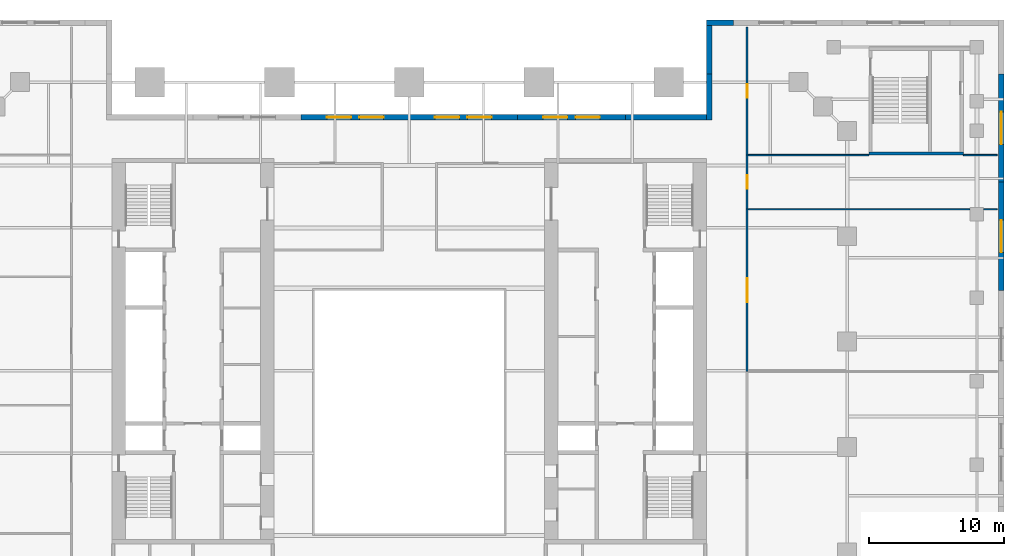
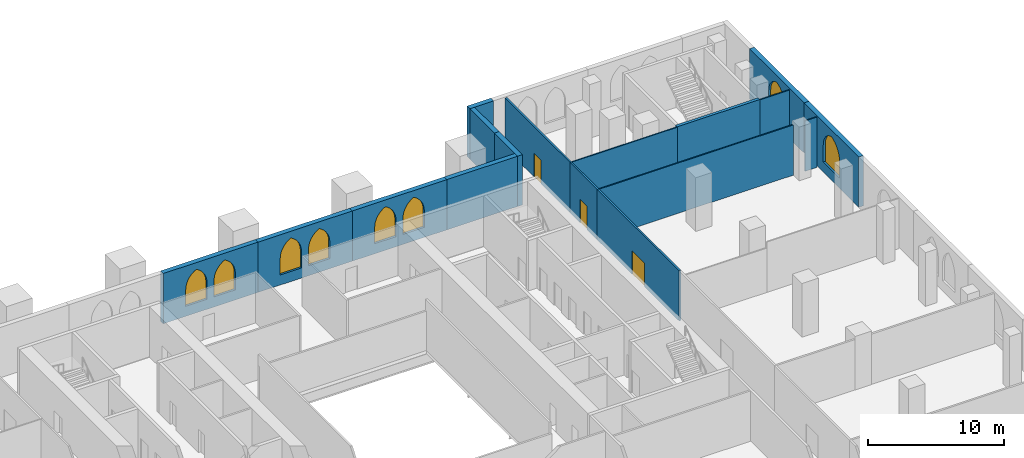
# One storey, part 16 of 19: 17 walls, 8 windows, 3 doors, 11 openings.
"""IFC4 building model written with IfcOpenShell, lengths in metres."""

from ifc_helpers import new_model, si_unit, direction, frame, frame_2d, origin, place, context, subcontext, project, spatial, polyline, rectangle, outline, extrude, material, layer, layer_set, type_object, element, fill, save


model = new_model("IFC4")

# Units and contexts
model_context = context("Model", 3, precision=1e-05, world=origin(), true_north=direction((0.0, 1.0)))
body_context = subcontext(model_context, "Body", "Model", "MODEL_VIEW")
ifc_project = project(units=[si_unit("LENGTHUNIT", "METRE"), si_unit("AREAUNIT", "SQUARE_METRE"), si_unit("VOLUMEUNIT", "CUBIC_METRE"), si_unit("PLANEANGLEUNIT", "RADIAN"), si_unit("MASSUNIT", "GRAM", prefix="KILO")], contexts=[model_context])

# Site, building, storey
site_placement = place(None, origin())
site = spatial("IfcSite", under=ifc_project, at=site_placement, CompositionType="ELEMENT")
building_placement = place(site_placement, origin())
building = spatial("IfcBuilding", under=site, at=building_placement, Name="Ogive Exchange Tower", CompositionType="ELEMENT")
storey_placement = place(building_placement, frame((0.0, 0.0, 19.199951171875)))
storey = spatial("IfcBuildingStorey", under=building, at=storey_placement, Name="L03", CompositionType="ELEMENT", Elevation=19.199951171875)

# Wall, opening, door
ifc_material_1 = material(Name="Fire partition EI 60 150")
ifc_layer_1 = layer(ifc_material_1, 0.14990234375)
ifc_layer_set_1 = layer_set([ifc_layer_1], Name="Fire partition EI 60 150")
wall_type_1 = type_object("IfcWallType", Name="Fire partition EI 60 150", PredefinedType="PARTITIONING", material=ifc_layer_set_1)
wall_1_placement = place(storey_placement, frame((25.0, 10.0, 0.0), z_axis=(0.0, 0.0, 1.0), x_axis=(0.0, 1.0, 0.0)))
wall_1 = element("IfcWall", 1, at=wall_1_placement, inside=storey, type_object=wall_type_1, Name="L03-PWL-061", PredefinedType="PARTITIONING", context=body_context, shape_type="SweptSolid", body=[
    extrude(rectangle(XDim=12.0, YDim=0.14990234375, at=frame_2d((6.0, 0.0))), origin(), (0.0, 0.0, 1.0), 4.5),
])
opening_1_placement = place(wall_1_placement, frame((5.10009765625, 0.0, 0.0)))
opening_1 = element("IfcOpeningElement", 2, at=opening_1_placement, cuts=wall_1, Name="Opening L03-I12", PredefinedType="OPENING", context=body_context, shape_type="SweptSolid", body=[
    extrude(rectangle(XDim=1.800048828125, YDim=2.10009765625, at=frame_2d((0.89990234375, 1.050048828125))), frame((0.0, 0.0849609375, 0.0), z_axis=(0.0, -1.0, 0.0), x_axis=(1.0, 0.0, 0.0)), (0.0, 0.0, 1.0), 0.169921875),
])
ifc_material_2 = material(Name="Fire door FD 30S 1800 x 2100")
door_type_1 = type_object("IfcDoorType", Name="Fire door FD 30S 1800 x 2100", OperationType="DOUBLE_DOOR_SINGLE_SWING", PredefinedType="DOOR", material=ifc_material_2)
door_1_placement = place(opening_1_placement, frame((1.800048828125, 0.0, 0.0), z_axis=(0.0, 0.0, 1.0), x_axis=(-1.0, 0.0, 0.0)))
door_1 = element("IfcDoor", 3, at=door_1_placement, inside=storey, type_object=door_type_1, Name="L03-IDR-012", ObjectType="DT4", OperationType="SINGLE_SWING_LEFT", OverallHeight=2.10009765625, OverallWidth=1.800048828125, PredefinedType="DOOR", context=body_context, shape_type="SweptSolid", body=[
    extrude(rectangle(XDim=1.800048828125, YDim=2.10009765625, at=frame_2d((0.89990234375, 1.050048828125))), frame((0.0, 0.02490234375, 0.0), z_axis=(0.0, -1.0, 0.0), x_axis=(1.0, 0.0, 0.0)), (0.0, 0.0, 1.0), 0.050048828125),
])
fill(opening_1, door_1)

wall_2_placement = place(storey_placement, frame((25.0, 22.0, 0.0), z_axis=(0.0, 0.0, 1.0), x_axis=(0.0, 1.0, 0.0)))
wall_2 = element("IfcWall", 4, at=wall_2_placement, inside=storey, type_object=wall_type_1, Name="L03-PWL-062", PredefinedType="PARTITIONING", context=body_context, shape_type="SweptSolid", body=[
    extrude(rectangle(XDim=4.0, YDim=0.14990234375, at=frame_2d((2.0, 0.0))), origin(), (0.0, 0.0, 1.0), 4.5),
])
opening_2_placement = place(wall_2_placement, frame((1.5, 0.0, 0.0)))
opening_2 = element("IfcOpeningElement", 5, at=opening_2_placement, cuts=wall_2, Name="Opening L03-I13", PredefinedType="OPENING", context=body_context, shape_type="SweptSolid", body=[
    extrude(rectangle(XDim=1.0, YDim=2.10009765625, at=frame_2d((0.5, 1.050048828125))), frame((0.0, 0.0849609375, 0.0), z_axis=(0.0, -1.0, 0.0), x_axis=(1.0, 0.0, 0.0)), (0.0, 0.0, 1.0), 0.169921875),
])
ifc_material_3 = material(Name="Fire door FD 30S 1000 x 2100")
door_type_2 = type_object("IfcDoorType", Name="Fire door FD 30S 1000 x 2100", OperationType="NOTDEFINED", PredefinedType="DOOR", material=ifc_material_3)
door_2_placement = place(opening_2_placement, frame((1.0, 0.0, 0.0), z_axis=(0.0, 0.0, 1.0), x_axis=(-1.0, 0.0, 0.0)))
door_2 = element("IfcDoor", 6, at=door_2_placement, inside=storey, type_object=door_type_2, Name="L03-IDR-013", ObjectType="DT3", OperationType="SINGLE_SWING_LEFT", OverallHeight=2.10009765625, OverallWidth=1.0, PredefinedType="DOOR", context=body_context, shape_type="SweptSolid", body=[
    extrude(rectangle(XDim=1.0, YDim=2.10009765625, at=frame_2d((0.5, 1.050048828125))), frame((0.0, 0.02490234375, 0.0), z_axis=(0.0, -1.0, 0.0), x_axis=(1.0, 0.0, 0.0)), (0.0, 0.0, 1.0), 0.050048828125),
])
fill(opening_2, door_2)

wall_3_placement = place(storey_placement, frame((25.0, 26.0, 0.0), z_axis=(0.0, 0.0, 1.0), x_axis=(0.0, 1.0, 0.0)))
wall_3 = element("IfcWall", 7, at=wall_3_placement, inside=storey, type_object=wall_type_1, Name="L03-PWL-063", PredefinedType="PARTITIONING", context=body_context, shape_type="SweptSolid", body=[
    extrude(rectangle(XDim=9.5, YDim=0.14990234375, at=frame_2d((4.75, 0.0))), origin(), (0.0, 0.0, 1.0), 4.5),
])
opening_3_placement = place(wall_3_placement, frame((4.25, 0.0, 0.0)))
opening_3 = element("IfcOpeningElement", 8, at=opening_3_placement, cuts=wall_3, Name="Opening L03-I02", PredefinedType="OPENING", context=body_context, shape_type="SweptSolid", body=[
    extrude(rectangle(XDim=1.0, YDim=2.10009765625, at=frame_2d((0.5, 1.050048828125))), frame((0.0, 0.0849609375, 0.0), z_axis=(0.0, -1.0, 0.0), x_axis=(1.0, 0.0, 0.0)), (0.0, 0.0, 1.0), 0.169921875),
])
door_3_placement = place(opening_3_placement, frame((1.0, 0.0, 0.0), z_axis=(0.0, 0.0, 1.0), x_axis=(-1.0, 0.0, 0.0)))
door_3 = element("IfcDoor", 9, at=door_3_placement, inside=storey, type_object=door_type_2, Name="L03-IDR-002", ObjectType="DT3", OperationType="SINGLE_SWING_RIGHT", OverallHeight=2.10009765625, OverallWidth=1.0, PredefinedType="DOOR", context=body_context, shape_type="SweptSolid", body=[
    extrude(rectangle(XDim=1.0, YDim=2.10009765625, at=frame_2d((0.5, 1.050048828125))), frame((0.0, 0.02490234375, 0.0), z_axis=(0.0, -1.0, 0.0), x_axis=(1.0, 0.0, 0.0)), (0.0, 0.0, 1.0), 0.050048828125),
])
fill(opening_3, door_3)

# Wall, opening, window
ifc_material_4 = material(Name="Precast concrete C40/50", Category="concrete")
ifc_layer_2 = layer(ifc_material_4, 0.39990234375)
ifc_layer_set_2 = layer_set([ifc_layer_2], Name="Limestone-faced wall 400")
wall_type_2 = type_object("IfcWallType", Name="Limestone-faced wall 400", PredefinedType="STANDARD", material=ifc_layer_set_2)
wall_4_placement = place(storey_placement, frame((43.800048828125, 16.0, 0.0), z_axis=(0.0, 0.0, 1.0), x_axis=(0.0, 1.0, 0.0)))
wall_4 = element("IfcWall", 10, at=wall_4_placement, inside=storey, type_object=wall_type_2, Name="Podium wall E10", PredefinedType="STANDARD", context=body_context, shape_type="SweptSolid", body=[
    extrude(rectangle(XDim=8.0, YDim=0.39990234375, at=frame_2d((4.0, 0.0))), origin(), (0.0, 0.0, 1.0), 4.5),
])
opening_4_placement = place(wall_4_placement, frame((2.800048828125, 0.0, 0.89990234375)))
opening_4 = element("IfcOpeningElement", 11, at=opening_4_placement, cuts=wall_4, Name="Opening WP300", PredefinedType="OPENING", context=body_context, shape_type="SweptSolid", body=[
    extrude(outline(polyline([(0.0, 0.0), (2.39990234375, 0.0), (2.39990234375, 1.5), (2.378173828125, 1.758056640625), (2.313232421875, 2.009033203125), (2.207275390625, 2.245361328125), (2.06298828125, 2.46044921875), (1.884765625, 2.6484375), (1.677490234375, 2.8037109375), (1.447021484375, 2.922119140625), (1.199951171875, 3.0), (0.952880859375, 2.922119140625), (0.722412109375, 2.8037109375), (0.51513671875, 2.6484375), (0.3369140625, 2.46044921875), (0.192626953125, 2.245361328125), (0.086669921875, 2.009033203125), (0.021728515625, 1.758056640625), (0.0, 1.5), (0.0, 0.0)])), frame((0.0, 0.2099609375, 0.0), z_axis=(0.0, -1.0, 0.0), x_axis=(1.0, 0.0, 0.0)), (0.0, 0.0, 1.0), 0.419921875),
])
ifc_material_5 = material(Name="Clear glass in bronze frame", Category="glass")
window_type_1 = type_object("IfcWindowType", Name="Podium lancet window 2400 x 3000", PartitioningType="DOUBLE_PANEL_VERTICAL", PredefinedType="WINDOW", material=ifc_material_5)
window_1_placement = place(opening_4_placement, origin())
window_1 = element("IfcWindow", 12, at=window_1_placement, inside=storey, type_object=window_type_1, Name="Podium window E10", OverallHeight=3.0, OverallWidth=2.39990234375, PartitioningType="DOUBLE_PANEL_VERTICAL", PredefinedType="WINDOW", context=body_context, shape_type="SweptSolid", body=[
    extrude(outline(polyline([(0.0, 0.0), (2.39990234375, 0.0), (2.39990234375, 1.5), (2.378173828125, 1.758056640625), (2.313232421875, 2.009033203125), (2.207275390625, 2.245361328125), (2.06298828125, 2.46044921875), (1.884765625, 2.6484375), (1.677490234375, 2.8037109375), (1.447021484375, 2.922119140625), (1.199951171875, 3.0), (0.952880859375, 2.922119140625), (0.722412109375, 2.8037109375), (0.51513671875, 2.6484375), (0.3369140625, 2.46044921875), (0.192626953125, 2.245361328125), (0.086669921875, 2.009033203125), (0.021728515625, 1.758056640625), (0.0, 1.5), (0.0, 0.0)])), frame((0.0, 0.030029296875, 0.0), z_axis=(0.0, -1.0, 0.0), x_axis=(1.0, 0.0, 0.0)), (0.0, 0.0, 1.0), 0.06005859375),
])
fill(opening_4, window_1)

wall_5_placement = place(storey_placement, frame((43.800048828125, 24.0, 0.0), z_axis=(0.0, 0.0, 1.0), x_axis=(0.0, 1.0, 0.0)))
wall_5 = element("IfcWall", 13, at=wall_5_placement, inside=storey, type_object=wall_type_2, Name="Podium wall E11", PredefinedType="STANDARD", context=body_context, shape_type="SweptSolid", body=[
    extrude(rectangle(XDim=8.0, YDim=0.39990234375, at=frame_2d((4.0, 0.0))), origin(), (0.0, 0.0, 1.0), 4.5),
])
opening_5_placement = place(wall_5_placement, frame((2.800048828125, 0.0, 0.89990234375)))
opening_5 = element("IfcOpeningElement", 14, at=opening_5_placement, cuts=wall_5, Name="Opening WP300", PredefinedType="OPENING", context=body_context, shape_type="SweptSolid", body=[
    extrude(outline(polyline([(0.0, 0.0), (2.39990234375, 0.0), (2.39990234375, 1.5), (2.378173828125, 1.758056640625), (2.313232421875, 2.009033203125), (2.207275390625, 2.245361328125), (2.06298828125, 2.46044921875), (1.884765625, 2.6484375), (1.677490234375, 2.8037109375), (1.447021484375, 2.922119140625), (1.199951171875, 3.0), (0.952880859375, 2.922119140625), (0.722412109375, 2.8037109375), (0.51513671875, 2.6484375), (0.3369140625, 2.46044921875), (0.192626953125, 2.245361328125), (0.086669921875, 2.009033203125), (0.021728515625, 1.758056640625), (0.0, 1.5), (0.0, 0.0)])), frame((0.0, 0.2099609375, 0.0), z_axis=(0.0, -1.0, 0.0), x_axis=(1.0, 0.0, 0.0)), (0.0, 0.0, 1.0), 0.419921875),
])
window_2_placement = place(opening_5_placement, origin())
window_2 = element("IfcWindow", 15, at=window_2_placement, inside=storey, type_object=window_type_1, Name="Podium window E11", OverallHeight=3.0, OverallWidth=2.39990234375, PartitioningType="DOUBLE_PANEL_VERTICAL", PredefinedType="WINDOW", context=body_context, shape_type="SweptSolid", body=[
    extrude(outline(polyline([(0.0, 0.0), (2.39990234375, 0.0), (2.39990234375, 1.5), (2.378173828125, 1.758056640625), (2.313232421875, 2.009033203125), (2.207275390625, 2.245361328125), (2.06298828125, 2.46044921875), (1.884765625, 2.6484375), (1.677490234375, 2.8037109375), (1.447021484375, 2.922119140625), (1.199951171875, 3.0), (0.952880859375, 2.922119140625), (0.722412109375, 2.8037109375), (0.51513671875, 2.6484375), (0.3369140625, 2.46044921875), (0.192626953125, 2.245361328125), (0.086669921875, 2.009033203125), (0.021728515625, 1.758056640625), (0.0, 1.5), (0.0, 0.0)])), frame((0.0, 0.030029296875, 0.0), z_axis=(0.0, -1.0, 0.0), x_axis=(1.0, 0.0, 0.0)), (0.0, 0.0, 1.0), 0.06005859375),
])
fill(opening_5, window_2)

# Walls
wall_6_placement = place(storey_placement, frame((24.0, 35.800048828125, 0.0), z_axis=(0.0, 0.0, 1.0), x_axis=(-1.0, 0.0, 0.0)))
element("IfcWall", 16, at=wall_6_placement, inside=storey, type_object=wall_type_2, Name="Podium wall N4", PredefinedType="STANDARD", context=body_context, shape_type="SweptSolid", body=[
    extrude(rectangle(XDim=2.0, YDim=0.39990234375, at=frame_2d((1.0, 0.0))), origin(), (0.0, 0.0, 1.0), 4.5),
])
wall_7_placement = place(storey_placement, frame((22.199951171875, 35.60009765625, 0.0), z_axis=(0.0, 0.0, 1.0), x_axis=(0.0, -1.0, 0.0)))
element("IfcWall", 17, at=wall_7_placement, inside=storey, type_object=wall_type_2, Name="Podium wall K1", PredefinedType="STANDARD", context=body_context, shape_type="SweptSolid", body=[
    extrude(rectangle(XDim=3.60009765625, YDim=0.39990234375, at=frame_2d((1.800048828125, 0.0))), origin(), (0.0, 0.0, 1.0), 4.5),
])
wall_8_placement = place(storey_placement, frame((22.199951171875, 32.0, 0.0), z_axis=(0.0, 0.0, 1.0), x_axis=(0.0, -1.0, 0.0)))
element("IfcWall", 18, at=wall_8_placement, inside=storey, type_object=wall_type_2, Name="Podium wall K2", PredefinedType="STANDARD", context=body_context, shape_type="SweptSolid", body=[
    extrude(rectangle(XDim=3.39990234375, YDim=0.39990234375, at=frame_2d((1.699951171875, 0.0))), origin(), (0.0, 0.0, 1.0), 4.5),
])
wall_9_placement = place(storey_placement, frame((22.0, 28.800048828125, 0.0), z_axis=(0.0, 0.0, 1.0), x_axis=(-1.0, 0.0, 0.0)))
element("IfcWall", 19, at=wall_9_placement, inside=storey, type_object=wall_type_2, Name="Podium wall B1", PredefinedType="STANDARD", context=body_context, shape_type="SweptSolid", body=[
    extrude(rectangle(XDim=6.0, YDim=0.39990234375, at=frame_2d((3.0, 0.0))), origin(), (0.0, 0.0, 1.0), 4.5),
])

# Wall, openings, windows
wall_10_placement = place(storey_placement, frame((16.0, 28.800048828125, 0.0), z_axis=(0.0, 0.0, 1.0), x_axis=(-1.0, 0.0, 0.0)))
wall_10 = element("IfcWall", 20, at=wall_10_placement, inside=storey, type_object=wall_type_2, Name="Podium wall B2", PredefinedType="STANDARD", context=body_context, shape_type="SweptSolid", body=[
    extrude(rectangle(XDim=8.0, YDim=0.39990234375, at=frame_2d((4.0, 0.0))), origin(), (0.0, 0.0, 1.0), 4.5),
])
opening_6_placement = place(wall_10_placement, frame((1.89990234375, 0.0, 0.89990234375)))
opening_6 = element("IfcOpeningElement", 21, at=opening_6_placement, cuts=wall_10, Name="Opening WQ300", PredefinedType="OPENING", context=body_context, shape_type="SweptSolid", body=[
    extrude(outline(polyline([(0.0, 0.0), (1.800048828125, 0.0), (1.800048828125, 1.5), (1.78466796875, 1.72900390625), (1.73828125, 1.953857421875), (1.662353515625, 2.17041015625), (1.557861328125, 2.374755859375), (1.4267578125, 2.56298828125), (1.271484375, 2.73193359375), (1.0947265625, 2.878662109375), (0.89990234375, 3.0), (0.705322265625, 2.878662109375), (0.528564453125, 2.73193359375), (0.373291015625, 2.56298828125), (0.2421875, 2.374755859375), (0.1376953125, 2.17041015625), (0.061767578125, 1.953857421875), (0.015380859375, 1.72900390625), (0.0, 1.5), (0.0, 0.0)])), frame((0.0, 0.2099609375, 0.0), z_axis=(0.0, -1.0, 0.0), x_axis=(1.0, 0.0, 0.0)), (0.0, 0.0, 1.0), 0.419921875),
])
opening_7_placement = place(wall_10_placement, frame((4.300048828125, 0.0, 0.89990234375)))
opening_7 = element("IfcOpeningElement", 22, at=opening_7_placement, cuts=wall_10, Name="Opening WQ300", PredefinedType="OPENING", context=body_context, shape_type="SweptSolid", body=[
    extrude(outline(polyline([(0.0, 0.0), (1.800048828125, 0.0), (1.800048828125, 1.5), (1.78466796875, 1.72900390625), (1.73828125, 1.953857421875), (1.662353515625, 2.17041015625), (1.557861328125, 2.374755859375), (1.4267578125, 2.56298828125), (1.271484375, 2.73193359375), (1.0947265625, 2.878662109375), (0.89990234375, 3.0), (0.705322265625, 2.878662109375), (0.528564453125, 2.73193359375), (0.373291015625, 2.56298828125), (0.2421875, 2.374755859375), (0.1376953125, 2.17041015625), (0.061767578125, 1.953857421875), (0.015380859375, 1.72900390625), (0.0, 1.5), (0.0, 0.0)])), frame((0.0, 0.2099609375, 0.0), z_axis=(0.0, -1.0, 0.0), x_axis=(1.0, 0.0, 0.0)), (0.0, 0.0, 1.0), 0.419921875),
])
window_type_2 = type_object("IfcWindowType", Name="Podium paired lancet 1800 x 3000", PartitioningType="DOUBLE_PANEL_VERTICAL", PredefinedType="WINDOW", material=ifc_material_5)
window_3_placement = place(opening_6_placement, origin())
window_3 = element("IfcWindow", 23, at=window_3_placement, inside=storey, type_object=window_type_2, Name="Podium paired lancet B2.1", OverallHeight=3.0, OverallWidth=1.800048828125, PartitioningType="DOUBLE_PANEL_VERTICAL", PredefinedType="WINDOW", context=body_context, shape_type="SweptSolid", body=[
    extrude(outline(polyline([(0.0, 0.0), (1.800048828125, 0.0), (1.800048828125, 1.5), (1.78466796875, 1.72900390625), (1.73828125, 1.953857421875), (1.662353515625, 2.17041015625), (1.557861328125, 2.374755859375), (1.4267578125, 2.56298828125), (1.271484375, 2.73193359375), (1.0947265625, 2.878662109375), (0.89990234375, 3.0), (0.705322265625, 2.878662109375), (0.528564453125, 2.73193359375), (0.373291015625, 2.56298828125), (0.2421875, 2.374755859375), (0.1376953125, 2.17041015625), (0.061767578125, 1.953857421875), (0.015380859375, 1.72900390625), (0.0, 1.5), (0.0, 0.0)])), frame((0.0, 0.030029296875, 0.0), z_axis=(0.0, -1.0, 0.0), x_axis=(1.0, 0.0, 0.0)), (0.0, 0.0, 1.0), 0.06005859375),
])
fill(opening_6, window_3)
window_4_placement = place(opening_7_placement, origin())
window_4 = element("IfcWindow", 24, at=window_4_placement, inside=storey, type_object=window_type_2, Name="Podium paired lancet B2.2", OverallHeight=3.0, OverallWidth=1.800048828125, PartitioningType="DOUBLE_PANEL_VERTICAL", PredefinedType="WINDOW", context=body_context, shape_type="SweptSolid", body=[
    extrude(outline(polyline([(0.0, 0.0), (1.800048828125, 0.0), (1.800048828125, 1.5), (1.78466796875, 1.72900390625), (1.73828125, 1.953857421875), (1.662353515625, 2.17041015625), (1.557861328125, 2.374755859375), (1.4267578125, 2.56298828125), (1.271484375, 2.73193359375), (1.0947265625, 2.878662109375), (0.89990234375, 3.0), (0.705322265625, 2.878662109375), (0.528564453125, 2.73193359375), (0.373291015625, 2.56298828125), (0.2421875, 2.374755859375), (0.1376953125, 2.17041015625), (0.061767578125, 1.953857421875), (0.015380859375, 1.72900390625), (0.0, 1.5), (0.0, 0.0)])), frame((0.0, 0.030029296875, 0.0), z_axis=(0.0, -1.0, 0.0), x_axis=(1.0, 0.0, 0.0)), (0.0, 0.0, 1.0), 0.06005859375),
])
fill(opening_7, window_4)

wall_11_placement = place(storey_placement, frame((8.0, 28.800048828125, 0.0), z_axis=(0.0, 0.0, 1.0), x_axis=(-1.0, 0.0, 0.0)))
wall_11 = element("IfcWall", 25, at=wall_11_placement, inside=storey, type_object=wall_type_2, Name="Podium wall B3", PredefinedType="STANDARD", context=body_context, shape_type="SweptSolid", body=[
    extrude(rectangle(XDim=8.0, YDim=0.39990234375, at=frame_2d((4.0, 0.0))), origin(), (0.0, 0.0, 1.0), 4.5),
])
opening_8_placement = place(wall_11_placement, frame((1.89990234375, 0.0, 0.89990234375)))
opening_8 = element("IfcOpeningElement", 26, at=opening_8_placement, cuts=wall_11, Name="Opening WQ300", PredefinedType="OPENING", context=body_context, shape_type="SweptSolid", body=[
    extrude(outline(polyline([(0.0, 0.0), (1.800048828125, 0.0), (1.800048828125, 1.5), (1.78466796875, 1.72900390625), (1.73828125, 1.953857421875), (1.662353515625, 2.17041015625), (1.557861328125, 2.374755859375), (1.4267578125, 2.56298828125), (1.271484375, 2.73193359375), (1.0947265625, 2.878662109375), (0.89990234375, 3.0), (0.705322265625, 2.878662109375), (0.528564453125, 2.73193359375), (0.373291015625, 2.56298828125), (0.2421875, 2.374755859375), (0.1376953125, 2.17041015625), (0.061767578125, 1.953857421875), (0.015380859375, 1.72900390625), (0.0, 1.5), (0.0, 0.0)])), frame((0.0, 0.2099609375, 0.0), z_axis=(0.0, -1.0, 0.0), x_axis=(1.0, 0.0, 0.0)), (0.0, 0.0, 1.0), 0.419921875),
])
opening_9_placement = place(wall_11_placement, frame((4.300048828125, 0.0, 0.89990234375)))
opening_9 = element("IfcOpeningElement", 27, at=opening_9_placement, cuts=wall_11, Name="Opening WQ300", PredefinedType="OPENING", context=body_context, shape_type="SweptSolid", body=[
    extrude(outline(polyline([(0.0, 0.0), (1.800048828125, 0.0), (1.800048828125, 1.5), (1.78466796875, 1.72900390625), (1.73828125, 1.953857421875), (1.662353515625, 2.17041015625), (1.557861328125, 2.374755859375), (1.4267578125, 2.56298828125), (1.271484375, 2.73193359375), (1.0947265625, 2.878662109375), (0.89990234375, 3.0), (0.705322265625, 2.878662109375), (0.528564453125, 2.73193359375), (0.373291015625, 2.56298828125), (0.2421875, 2.374755859375), (0.1376953125, 2.17041015625), (0.061767578125, 1.953857421875), (0.015380859375, 1.72900390625), (0.0, 1.5), (0.0, 0.0)])), frame((0.0, 0.2099609375, 0.0), z_axis=(0.0, -1.0, 0.0), x_axis=(1.0, 0.0, 0.0)), (0.0, 0.0, 1.0), 0.419921875),
])
window_5_placement = place(opening_8_placement, origin())
window_5 = element("IfcWindow", 28, at=window_5_placement, inside=storey, type_object=window_type_2, Name="Podium paired lancet B3.1", OverallHeight=3.0, OverallWidth=1.800048828125, PartitioningType="DOUBLE_PANEL_VERTICAL", PredefinedType="WINDOW", context=body_context, shape_type="SweptSolid", body=[
    extrude(outline(polyline([(0.0, 0.0), (1.800048828125, 0.0), (1.800048828125, 1.5), (1.78466796875, 1.72900390625), (1.73828125, 1.953857421875), (1.662353515625, 2.17041015625), (1.557861328125, 2.374755859375), (1.4267578125, 2.56298828125), (1.271484375, 2.73193359375), (1.0947265625, 2.878662109375), (0.89990234375, 3.0), (0.705322265625, 2.878662109375), (0.528564453125, 2.73193359375), (0.373291015625, 2.56298828125), (0.2421875, 2.374755859375), (0.1376953125, 2.17041015625), (0.061767578125, 1.953857421875), (0.015380859375, 1.72900390625), (0.0, 1.5), (0.0, 0.0)])), frame((0.0, 0.030029296875, 0.0), z_axis=(0.0, -1.0, 0.0), x_axis=(1.0, 0.0, 0.0)), (0.0, 0.0, 1.0), 0.06005859375),
])
fill(opening_8, window_5)
window_6_placement = place(opening_9_placement, origin())
window_6 = element("IfcWindow", 29, at=window_6_placement, inside=storey, type_object=window_type_2, Name="Podium paired lancet B3.2", OverallHeight=3.0, OverallWidth=1.800048828125, PartitioningType="DOUBLE_PANEL_VERTICAL", PredefinedType="WINDOW", context=body_context, shape_type="SweptSolid", body=[
    extrude(outline(polyline([(0.0, 0.0), (1.800048828125, 0.0), (1.800048828125, 1.5), (1.78466796875, 1.72900390625), (1.73828125, 1.953857421875), (1.662353515625, 2.17041015625), (1.557861328125, 2.374755859375), (1.4267578125, 2.56298828125), (1.271484375, 2.73193359375), (1.0947265625, 2.878662109375), (0.89990234375, 3.0), (0.705322265625, 2.878662109375), (0.528564453125, 2.73193359375), (0.373291015625, 2.56298828125), (0.2421875, 2.374755859375), (0.1376953125, 2.17041015625), (0.061767578125, 1.953857421875), (0.015380859375, 1.72900390625), (0.0, 1.5), (0.0, 0.0)])), frame((0.0, 0.030029296875, 0.0), z_axis=(0.0, -1.0, 0.0), x_axis=(1.0, 0.0, 0.0)), (0.0, 0.0, 1.0), 0.06005859375),
])
fill(opening_9, window_6)

wall_12_placement = place(storey_placement, frame((0.0, 28.800048828125, 0.0), z_axis=(0.0, 0.0, 1.0), x_axis=(-1.0, 0.0, 0.0)))
wall_12 = element("IfcWall", 30, at=wall_12_placement, inside=storey, type_object=wall_type_2, Name="Podium wall B4", PredefinedType="STANDARD", context=body_context, shape_type="SweptSolid", body=[
    extrude(rectangle(XDim=8.0, YDim=0.39990234375, at=frame_2d((4.0, 0.0))), origin(), (0.0, 0.0, 1.0), 4.5),
])
opening_10_placement = place(wall_12_placement, frame((1.89990234375, 0.0, 0.89990234375)))
opening_10 = element("IfcOpeningElement", 31, at=opening_10_placement, cuts=wall_12, Name="Opening WQ300", PredefinedType="OPENING", context=body_context, shape_type="SweptSolid", body=[
    extrude(outline(polyline([(0.0, 0.0), (1.800048828125, 0.0), (1.800048828125, 1.5), (1.78466796875, 1.72900390625), (1.73828125, 1.953857421875), (1.662353515625, 2.17041015625), (1.557861328125, 2.374755859375), (1.4267578125, 2.56298828125), (1.271484375, 2.73193359375), (1.0947265625, 2.878662109375), (0.89990234375, 3.0), (0.705322265625, 2.878662109375), (0.528564453125, 2.73193359375), (0.373291015625, 2.56298828125), (0.2421875, 2.374755859375), (0.1376953125, 2.17041015625), (0.061767578125, 1.953857421875), (0.015380859375, 1.72900390625), (0.0, 1.5), (0.0, 0.0)])), frame((0.0, 0.2099609375, 0.0), z_axis=(0.0, -1.0, 0.0), x_axis=(1.0, 0.0, 0.0)), (0.0, 0.0, 1.0), 0.419921875),
])
opening_11_placement = place(wall_12_placement, frame((4.300048828125, 0.0, 0.89990234375)))
opening_11 = element("IfcOpeningElement", 32, at=opening_11_placement, cuts=wall_12, Name="Opening WQ300", PredefinedType="OPENING", context=body_context, shape_type="SweptSolid", body=[
    extrude(outline(polyline([(0.0, 0.0), (1.800048828125, 0.0), (1.800048828125, 1.5), (1.78466796875, 1.72900390625), (1.73828125, 1.953857421875), (1.662353515625, 2.17041015625), (1.557861328125, 2.374755859375), (1.4267578125, 2.56298828125), (1.271484375, 2.73193359375), (1.0947265625, 2.878662109375), (0.89990234375, 3.0), (0.705322265625, 2.878662109375), (0.528564453125, 2.73193359375), (0.373291015625, 2.56298828125), (0.2421875, 2.374755859375), (0.1376953125, 2.17041015625), (0.061767578125, 1.953857421875), (0.015380859375, 1.72900390625), (0.0, 1.5), (0.0, 0.0)])), frame((0.0, 0.2099609375, 0.0), z_axis=(0.0, -1.0, 0.0), x_axis=(1.0, 0.0, 0.0)), (0.0, 0.0, 1.0), 0.419921875),
])
window_7_placement = place(opening_10_placement, origin())
window_7 = element("IfcWindow", 33, at=window_7_placement, inside=storey, type_object=window_type_2, Name="Podium paired lancet B4.1", OverallHeight=3.0, OverallWidth=1.800048828125, PartitioningType="DOUBLE_PANEL_VERTICAL", PredefinedType="WINDOW", context=body_context, shape_type="SweptSolid", body=[
    extrude(outline(polyline([(0.0, 0.0), (1.800048828125, 0.0), (1.800048828125, 1.5), (1.78466796875, 1.72900390625), (1.73828125, 1.953857421875), (1.662353515625, 2.17041015625), (1.557861328125, 2.374755859375), (1.4267578125, 2.56298828125), (1.271484375, 2.73193359375), (1.0947265625, 2.878662109375), (0.89990234375, 3.0), (0.705322265625, 2.878662109375), (0.528564453125, 2.73193359375), (0.373291015625, 2.56298828125), (0.2421875, 2.374755859375), (0.1376953125, 2.17041015625), (0.061767578125, 1.953857421875), (0.015380859375, 1.72900390625), (0.0, 1.5), (0.0, 0.0)])), frame((0.0, 0.030029296875, 0.0), z_axis=(0.0, -1.0, 0.0), x_axis=(1.0, 0.0, 0.0)), (0.0, 0.0, 1.0), 0.06005859375),
])
fill(opening_10, window_7)
window_8_placement = place(opening_11_placement, origin())
window_8 = element("IfcWindow", 34, at=window_8_placement, inside=storey, type_object=window_type_2, Name="Podium paired lancet B4.2", OverallHeight=3.0, OverallWidth=1.800048828125, PartitioningType="DOUBLE_PANEL_VERTICAL", PredefinedType="WINDOW", context=body_context, shape_type="SweptSolid", body=[
    extrude(outline(polyline([(0.0, 0.0), (1.800048828125, 0.0), (1.800048828125, 1.5), (1.78466796875, 1.72900390625), (1.73828125, 1.953857421875), (1.662353515625, 2.17041015625), (1.557861328125, 2.374755859375), (1.4267578125, 2.56298828125), (1.271484375, 2.73193359375), (1.0947265625, 2.878662109375), (0.89990234375, 3.0), (0.705322265625, 2.878662109375), (0.528564453125, 2.73193359375), (0.373291015625, 2.56298828125), (0.2421875, 2.374755859375), (0.1376953125, 2.17041015625), (0.061767578125, 1.953857421875), (0.015380859375, 1.72900390625), (0.0, 1.5), (0.0, 0.0)])), frame((0.0, 0.030029296875, 0.0), z_axis=(0.0, -1.0, 0.0), x_axis=(1.0, 0.0, 0.0)), (0.0, 0.0, 1.0), 0.06005859375),
])
fill(opening_11, window_8)

# Walls
ifc_material_6 = material(Name="Partition 100 gypsum")
ifc_layer_3 = layer(ifc_material_6, 0.10009765625)
ifc_layer_set_3 = layer_set([ifc_layer_3], Name="Partition 100 gypsum")
wall_type_3 = type_object("IfcWallType", Name="Partition 100 gypsum", PredefinedType="PARTITIONING", material=ifc_layer_set_3)
wall_13_placement = place(storey_placement, frame((25.074951171875, 22.0, 0.0), z_axis=(0.0, 0.0, 1.0), x_axis=(1.0, 0.0, 0.0)))
element("IfcWall", 35, at=wall_13_placement, inside=storey, type_object=wall_type_3, Name="L03-PWL-031", PredefinedType="PARTITIONING", context=body_context, shape_type="SweptSolid", body=[
    extrude(rectangle(XDim=16.425048828125, YDim=0.10009765625, at=frame_2d((8.21240234375, 0.0))), origin(), (0.0, 0.0, 1.0), 4.5),
])
wall_14_placement = place(storey_placement, frame((42.5, 22.0, 0.0), z_axis=(0.0, 0.0, 1.0), x_axis=(1.0, 0.0, 0.0)))
element("IfcWall", 36, at=wall_14_placement, inside=storey, type_object=wall_type_3, Name="L03-PWL-032", PredefinedType="PARTITIONING", context=body_context, shape_type="SweptSolid", body=[
    extrude(rectangle(XDim=1.0, YDim=0.10009765625, at=frame_2d((0.5, 0.0))), origin(), (0.0, 0.0, 1.0), 4.5),
])
wall_15_placement = place(storey_placement, frame((25.074951171875, 26.0, 0.0), z_axis=(0.0, 0.0, 1.0), x_axis=(1.0, 0.0, 0.0)))
element("IfcWall", 37, at=wall_15_placement, inside=storey, type_object=wall_type_3, Name="L03-PWL-037", PredefinedType="PARTITIONING", context=body_context, shape_type="SweptSolid", body=[
    extrude(rectangle(XDim=8.925048828125, YDim=0.10009765625, at=frame_2d((4.46240234375, 0.0))), origin(), (0.0, 0.0, 1.0), 4.5),
])
wall_16_placement = place(storey_placement, frame((41.0, 26.0, 0.0), z_axis=(0.0, 0.0, 1.0), x_axis=(1.0, 0.0, 0.0)))
element("IfcWall", 38, at=wall_16_placement, inside=storey, type_object=wall_type_3, Name="L03-PWL-038", PredefinedType="PARTITIONING", context=body_context, shape_type="SweptSolid", body=[
    extrude(rectangle(XDim=2.5, YDim=0.10009765625, at=frame_2d((1.25, 0.0))), origin(), (0.0, 0.0, 1.0), 4.5),
])
ifc_material_7 = material(Name="Concrete C70/85", Category="concrete")
ifc_layer_4 = layer(ifc_material_7, 0.25)
ifc_layer_set_4 = layer_set([ifc_layer_4], Name="RC core wall 250 C70/85")
wall_type_4 = type_object("IfcWallType", Name="RC core wall 250 C70/85", PredefinedType="SHEAR", material=ifc_layer_set_4)
wall_17_placement = place(storey_placement, frame((34.0, 26.125, 0.0), z_axis=(0.0, 0.0, 1.0), x_axis=(1.0, 0.0, 0.0)))
element("IfcWall", 39, at=wall_17_placement, inside=storey, type_object=wall_type_4, Name="PS4 south wall", PredefinedType="SHEAR", context=body_context, shape_type="SweptSolid", body=[
    extrude(rectangle(XDim=7.0, YDim=0.25, at=frame_2d((3.5, 0.0))), origin(), (0.0, 0.0, 1.0), 4.5),
])

save(model, "model.ifc")
